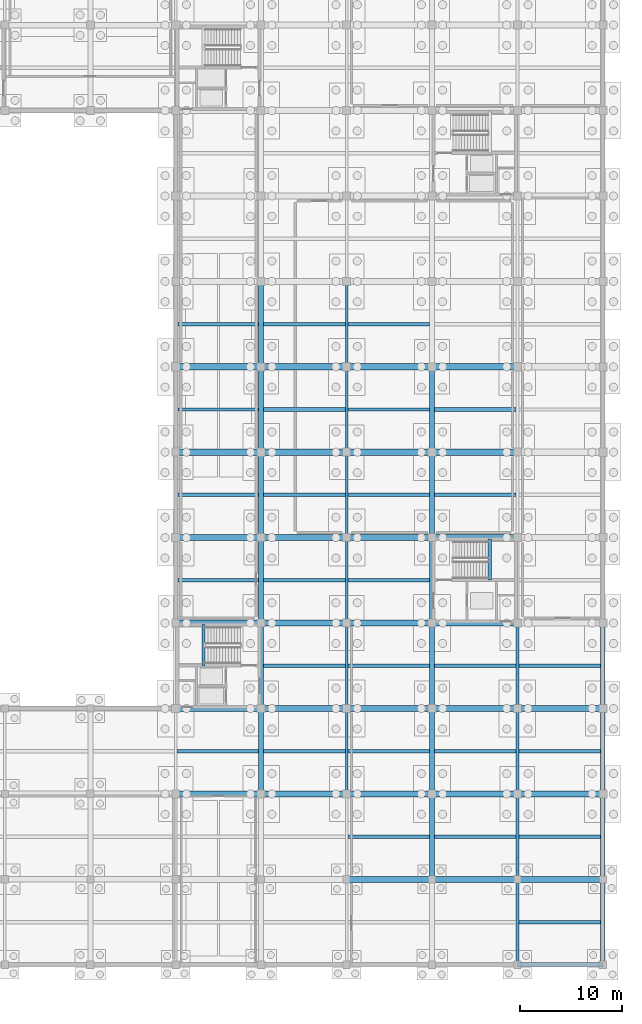
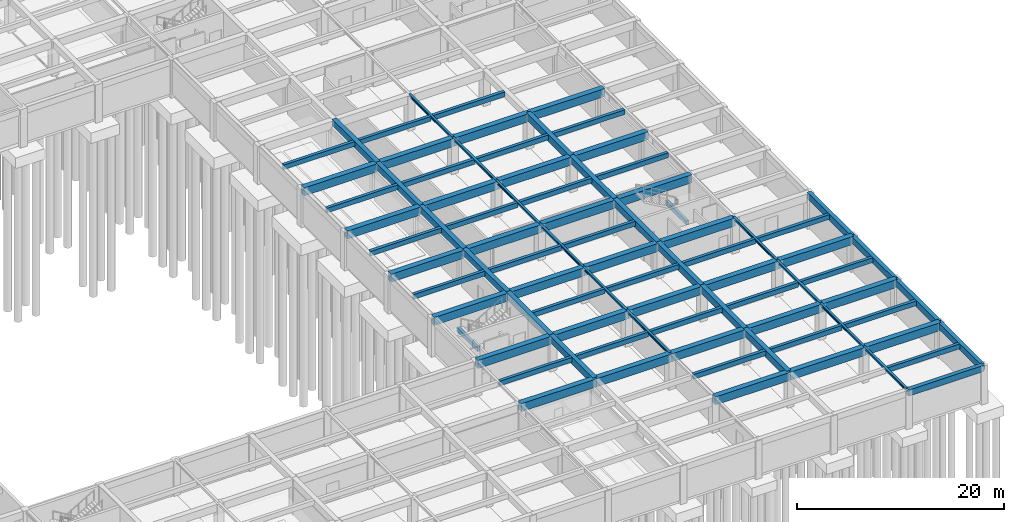
# One storey, part 12 of 33: 85 beams.
"""IFC4 building model written with IfcOpenShell, lengths in metres."""

from ifc_helpers import new_model, si_unit, direction, frame, origin, origin_2d, place, context, subcontext, project, spatial, rectangle, i_section, extrude, material, material_profile, profile_set, type_object, element, save


model = new_model("IFC4")

# Units and contexts
model_context = context("Model", 3, precision=1e-05, world=origin(), true_north=direction((0.0, 1.0)))
body_context = subcontext(model_context, "Body", "Model", "MODEL_VIEW")
ifc_project = project(units=[si_unit("LENGTHUNIT", "METRE"), si_unit("AREAUNIT", "SQUARE_METRE"), si_unit("VOLUMEUNIT", "CUBIC_METRE"), si_unit("PLANEANGLEUNIT", "RADIAN"), si_unit("MASSUNIT", "GRAM", prefix="KILO")], contexts=[model_context])

# Site, building, storey
site_placement = place(None, origin())
site = spatial("IfcSite", under=ifc_project, at=site_placement, CompositionType="ELEMENT")
building_placement = place(site_placement, origin())
building = spatial("IfcBuilding", under=site, at=building_placement, Name="Kveldsbrygga Polytechnic", CompositionType="ELEMENT")
storey_placement = place(building_placement, frame((0.0, 0.0, -4.419921875)))
storey = spatial("IfcBuildingStorey", under=building, at=storey_placement, Name="B1", CompositionType="ELEMENT", Elevation=-4.419921875)

# Beams
ifc_material_1 = material(Name="Concrete C35/45", Category="concrete")
ifc_material_profile_1 = material_profile(ifc_material_1, rectangle(XDim=0.449951171875, YDim=0.75, at=origin_2d()), Name="RC 450x750")
ifc_profile_set_1 = profile_set([ifc_material_profile_1], Name="Concrete C35/45")
beam_type_1 = type_object("IfcBeamType", Name="BM-RC-450x750", PredefinedType="BEAM", material=ifc_profile_set_1)
beam_1_placement = place(storey_placement, frame((168.0, 0.0, 3.744873046875), z_axis=(0.0, 1.0, 0.0), x_axis=(-1.0, 0.0, 0.0)))
element("IfcBeam", 1, at=beam_1_placement, inside=storey, type_object=beam_type_1, Name="Primary Beam BMY-B1-20-00to01", PredefinedType="BEAM", context=body_context, shape_type="SweptSolid", body=[
    extrude(rectangle(XDim=0.449951171875, YDim=0.75, at=origin_2d()), origin(), (0.0, 0.0, 1.0), 8.39990234375),
])
beam_2_placement = place(storey_placement, frame((168.0, 8.39990234375, 3.744873046875), z_axis=(0.0, 1.0, 0.0), x_axis=(-1.0, 0.0, 0.0)))
element("IfcBeam", 2, at=beam_2_placement, inside=storey, type_object=beam_type_1, Name="Primary Beam BMY-B1-20-01to02", PredefinedType="BEAM", context=body_context, shape_type="SweptSolid", body=[
    extrude(rectangle(XDim=0.449951171875, YDim=0.75, at=origin_2d()), origin(), (0.0, 0.0, 1.0), 8.400146484375),
])
beam_3_placement = place(storey_placement, frame((168.0, 16.800048828125, 3.744873046875), z_axis=(0.0, 1.0, 0.0), x_axis=(-1.0, 0.0, 0.0)))
element("IfcBeam", 3, at=beam_3_placement, inside=storey, type_object=beam_type_1, Name="Primary Beam BMY-B1-20-02to03", PredefinedType="BEAM", context=body_context, shape_type="SweptSolid", body=[
    extrude(rectangle(XDim=0.449951171875, YDim=0.75, at=origin_2d()), origin(), (0.0, 0.0, 1.0), 8.39990234375),
])
beam_4_placement = place(storey_placement, frame((168.0, 25.199951171875, 3.744873046875), z_axis=(0.0, 1.0, 0.0), x_axis=(-1.0, 0.0, 0.0)))
element("IfcBeam", 4, at=beam_4_placement, inside=storey, type_object=beam_type_1, Name="Primary Beam BMY-B1-20-03to04", PredefinedType="BEAM", context=body_context, shape_type="SweptSolid", body=[
    extrude(rectangle(XDim=0.449951171875, YDim=0.75, at=origin_2d()), origin(), (0.0, 0.0, 1.0), 8.400146484375),
])
ifc_material_profile_2 = material_profile(ifc_material_1, rectangle(XDim=0.4599609375, YDim=0.739990234375, at=origin_2d()), Name="RC 460x740")
ifc_profile_set_2 = profile_set([ifc_material_profile_2], Name="Concrete C35/45")
beam_type_2 = type_object("IfcBeamType", Name="BM-RC-460x740", PredefinedType="BEAM", material=ifc_profile_set_2)
beam_5_placement = place(storey_placement, frame((159.60009765625, 0.0, 3.75), z_axis=(1.0, 0.0, 0.0), x_axis=(0.0, 1.0, 0.0)))
element("IfcBeam", 5, at=beam_5_placement, inside=storey, type_object=beam_type_2, Name="Primary Beam BMX-B1-19to20-00", PredefinedType="BEAM", context=body_context, shape_type="SweptSolid", body=[
    extrude(rectangle(XDim=0.4599609375, YDim=0.739990234375, at=origin_2d()), origin(), (0.0, 0.0, 1.0), 8.39990234375),
])
ifc_material_profile_3 = material_profile(ifc_material_1, rectangle(XDim=0.5, YDim=0.800048828125, at=origin_2d()), Name="RC 500x800")
ifc_profile_set_3 = profile_set([ifc_material_profile_3], Name="Concrete C35/45")
beam_type_3 = type_object("IfcBeamType", Name="BM-RC-500x800", PredefinedType="BEAM", material=ifc_profile_set_3)
beam_6_placement = place(storey_placement, frame((134.39990234375, 16.800048828125, 3.719970703125), z_axis=(0.0, 1.0, 0.0), x_axis=(-1.0, 0.0, 0.0)))
element("IfcBeam", 6, at=beam_6_placement, inside=storey, type_object=beam_type_3, Name="Primary Beam BMY-B1-16-02to03", PredefinedType="BEAM", context=body_context, shape_type="SweptSolid", body=[
    extrude(rectangle(XDim=0.5, YDim=0.800048828125, at=origin_2d()), origin(), (0.0, 0.0, 1.0), 8.39990234375),
])
beam_7_placement = place(storey_placement, frame((134.39990234375, 25.199951171875, 3.719970703125), z_axis=(0.0, 1.0, 0.0), x_axis=(-1.0, 0.0, 0.0)))
element("IfcBeam", 7, at=beam_7_placement, inside=storey, type_object=beam_type_3, Name="Primary Beam BMY-B1-16-03to04", PredefinedType="BEAM", context=body_context, shape_type="SweptSolid", body=[
    extrude(rectangle(XDim=0.5, YDim=0.800048828125, at=origin_2d()), origin(), (0.0, 0.0, 1.0), 8.400146484375),
])
for number, where, z_axis, x_axis, name in (
    (8, (134.39990234375, 33.60009765625, 3.719970703125), (0.0, 1.0, 0.0), (-1.0, 0.0, 0.0), "Primary Beam BMY-B1-16-04to05"),
    (9, (134.39990234375, 42.0, 3.719970703125), (0.0, 1.0, 0.0), (-1.0, 0.0, 0.0), "Primary Beam BMY-B1-16-05to06"),
):
    element("IfcBeam", number, at=place(storey_placement, frame(where, z_axis=z_axis, x_axis=x_axis)), inside=storey, type_object=beam_type_3, Name=name, PredefinedType="BEAM", context=body_context, shape_type="SweptSolid", body=[
        extrude(rectangle(XDim=0.5, YDim=0.800048828125, at=origin_2d()), origin(), (0.0, 0.0, 1.0), 8.39990234375),
    ])
beam_8_placement = place(storey_placement, frame((134.39990234375, 50.39990234375, 3.719970703125), z_axis=(0.0, 1.0, 0.0), x_axis=(-1.0, 0.0, 0.0)))
element("IfcBeam", 10, at=beam_8_placement, inside=storey, type_object=beam_type_3, Name="Primary Beam BMY-B1-16-06to07", PredefinedType="BEAM", context=body_context, shape_type="SweptSolid", body=[
    extrude(rectangle(XDim=0.5, YDim=0.800048828125, at=origin_2d()), origin(), (0.0, 0.0, 1.0), 8.400146484375),
])
beam_9_placement = place(storey_placement, frame((134.39990234375, 58.800048828125, 3.719970703125), z_axis=(0.0, 1.0, 0.0), x_axis=(-1.0, 0.0, 0.0)))
element("IfcBeam", 11, at=beam_9_placement, inside=storey, type_object=beam_type_3, Name="Primary Beam BMY-B1-16-07to08", PredefinedType="BEAM", context=body_context, shape_type="SweptSolid", body=[
    extrude(rectangle(XDim=0.5, YDim=0.800048828125, at=origin_2d()), origin(), (0.0, 0.0, 1.0), 8.39990234375),
])
beam_10_placement = place(storey_placement, frame((151.199951171875, 8.39990234375, 3.719970703125), z_axis=(0.0, 1.0, 0.0), x_axis=(-1.0, 0.0, 0.0)))
element("IfcBeam", 12, at=beam_10_placement, inside=storey, type_object=beam_type_3, Name="Primary Beam BMY-B1-18-01to02", PredefinedType="BEAM", context=body_context, shape_type="SweptSolid", body=[
    extrude(rectangle(XDim=0.5, YDim=0.800048828125, at=origin_2d()), origin(), (0.0, 0.0, 1.0), 8.400146484375),
])
beam_11_placement = place(storey_placement, frame((151.199951171875, 16.800048828125, 3.719970703125), z_axis=(0.0, 1.0, 0.0), x_axis=(-1.0, 0.0, 0.0)))
element("IfcBeam", 13, at=beam_11_placement, inside=storey, type_object=beam_type_3, Name="Primary Beam BMY-B1-18-02to03", PredefinedType="BEAM", context=body_context, shape_type="SweptSolid", body=[
    extrude(rectangle(XDim=0.5, YDim=0.800048828125, at=origin_2d()), origin(), (0.0, 0.0, 1.0), 8.39990234375),
])
beam_12_placement = place(storey_placement, frame((151.199951171875, 25.199951171875, 3.719970703125), z_axis=(0.0, 1.0, 0.0), x_axis=(-1.0, 0.0, 0.0)))
element("IfcBeam", 14, at=beam_12_placement, inside=storey, type_object=beam_type_3, Name="Primary Beam BMY-B1-18-03to04", PredefinedType="BEAM", context=body_context, shape_type="SweptSolid", body=[
    extrude(rectangle(XDim=0.5, YDim=0.800048828125, at=origin_2d()), origin(), (0.0, 0.0, 1.0), 8.400146484375),
])
for number, where, z_axis, x_axis, name in (
    (15, (151.199951171875, 33.60009765625, 3.719970703125), (0.0, 1.0, 0.0), (-1.0, 0.0, 0.0), "Primary Beam BMY-B1-18-04to05"),
    (16, (151.199951171875, 42.0, 3.719970703125), (0.0, 1.0, 0.0), (-1.0, 0.0, 0.0), "Primary Beam BMY-B1-18-05to06"),
):
    element("IfcBeam", number, at=place(storey_placement, frame(where, z_axis=z_axis, x_axis=x_axis)), inside=storey, type_object=beam_type_3, Name=name, PredefinedType="BEAM", context=body_context, shape_type="SweptSolid", body=[
        extrude(rectangle(XDim=0.5, YDim=0.800048828125, at=origin_2d()), origin(), (0.0, 0.0, 1.0), 8.39990234375),
    ])
beam_13_placement = place(storey_placement, frame((151.199951171875, 50.39990234375, 3.719970703125), z_axis=(0.0, 1.0, 0.0), x_axis=(-1.0, 0.0, 0.0)))
element("IfcBeam", 17, at=beam_13_placement, inside=storey, type_object=beam_type_3, Name="Primary Beam BMY-B1-18-06to07", PredefinedType="BEAM", context=body_context, shape_type="SweptSolid", body=[
    extrude(rectangle(XDim=0.5, YDim=0.800048828125, at=origin_2d()), origin(), (0.0, 0.0, 1.0), 8.400146484375),
])
ifc_material_2 = material(Name="Concrete C45/55", Category="concrete")
ifc_material_profile_4 = material_profile(ifc_material_2, rectangle(XDim=0.60009765625, YDim=0.949951171875, at=origin_2d()), Name="RC 600x950")
ifc_profile_set_4 = profile_set([ifc_material_profile_4], Name="Concrete C45/55")
beam_type_4 = type_object("IfcBeamType", Name="BM-RC-600x950", PredefinedType="BEAM", material=ifc_profile_set_4)
beam_14_placement = place(storey_placement, frame((142.800048828125, 8.39990234375, 3.64501953125), z_axis=(1.0, 0.0, 0.0), x_axis=(0.0, 1.0, 0.0)))
element("IfcBeam", 18, at=beam_14_placement, inside=storey, type_object=beam_type_4, Name="Primary Beam BMX-B1-17to18-01", PredefinedType="BEAM", context=body_context, shape_type="SweptSolid", body=[
    extrude(rectangle(XDim=0.60009765625, YDim=0.949951171875, at=origin_2d()), origin(), (0.0, 0.0, 1.0), 8.39990234375),
])
beam_15_placement = place(storey_placement, frame((151.199951171875, 8.39990234375, 3.64501953125), z_axis=(1.0, 0.0, 0.0), x_axis=(0.0, 1.0, 0.0)))
element("IfcBeam", 19, at=beam_15_placement, inside=storey, type_object=beam_type_4, Name="Primary Beam BMX-B1-18to19-01", PredefinedType="BEAM", context=body_context, shape_type="SweptSolid", body=[
    extrude(rectangle(XDim=0.60009765625, YDim=0.949951171875, at=origin_2d()), origin(), (0.0, 0.0, 1.0), 8.400146484375),
])
for number, where, z_axis, x_axis, name in (
    (20, (159.60009765625, 8.39990234375, 3.64501953125), (1.0, 0.0, 0.0), (0.0, 1.0, 0.0), "Primary Beam BMX-B1-19to20-01"),
    (21, (126.0, 16.800048828125, 3.64501953125), (1.0, 0.0, 0.0), (0.0, 1.0, 0.0), "Primary Beam BMX-B1-15to16-02"),
):
    element("IfcBeam", number, at=place(storey_placement, frame(where, z_axis=z_axis, x_axis=x_axis)), inside=storey, type_object=beam_type_4, Name=name, PredefinedType="BEAM", context=body_context, shape_type="SweptSolid", body=[
        extrude(rectangle(XDim=0.60009765625, YDim=0.949951171875, at=origin_2d()), origin(), (0.0, 0.0, 1.0), 8.39990234375),
    ])
beam_16_placement = place(storey_placement, frame((134.39990234375, 16.800048828125, 3.64501953125), z_axis=(1.0, 0.0, 0.0), x_axis=(0.0, 1.0, 0.0)))
element("IfcBeam", 22, at=beam_16_placement, inside=storey, type_object=beam_type_4, Name="Primary Beam BMX-B1-16to17-02", PredefinedType="BEAM", context=body_context, shape_type="SweptSolid", body=[
    extrude(rectangle(XDim=0.60009765625, YDim=0.949951171875, at=origin_2d()), origin(), (0.0, 0.0, 1.0), 8.400146484375),
])
beam_17_placement = place(storey_placement, frame((142.800048828125, 16.800048828125, 3.64501953125), z_axis=(1.0, 0.0, 0.0), x_axis=(0.0, 1.0, 0.0)))
element("IfcBeam", 23, at=beam_17_placement, inside=storey, type_object=beam_type_4, Name="Primary Beam BMX-B1-17to18-02", PredefinedType="BEAM", context=body_context, shape_type="SweptSolid", body=[
    extrude(rectangle(XDim=0.60009765625, YDim=0.949951171875, at=origin_2d()), origin(), (0.0, 0.0, 1.0), 8.39990234375),
])
beam_18_placement = place(storey_placement, frame((151.199951171875, 16.800048828125, 3.64501953125), z_axis=(1.0, 0.0, 0.0), x_axis=(0.0, 1.0, 0.0)))
element("IfcBeam", 24, at=beam_18_placement, inside=storey, type_object=beam_type_4, Name="Primary Beam BMX-B1-18to19-02", PredefinedType="BEAM", context=body_context, shape_type="SweptSolid", body=[
    extrude(rectangle(XDim=0.60009765625, YDim=0.949951171875, at=origin_2d()), origin(), (0.0, 0.0, 1.0), 8.400146484375),
])
for number, where, z_axis, x_axis, name in (
    (25, (159.60009765625, 16.800048828125, 3.64501953125), (1.0, 0.0, 0.0), (0.0, 1.0, 0.0), "Primary Beam BMX-B1-19to20-02"),
    (26, (126.0, 25.199951171875, 3.64501953125), (1.0, 0.0, 0.0), (0.0, 1.0, 0.0), "Primary Beam BMX-B1-15to16-03"),
):
    element("IfcBeam", number, at=place(storey_placement, frame(where, z_axis=z_axis, x_axis=x_axis)), inside=storey, type_object=beam_type_4, Name=name, PredefinedType="BEAM", context=body_context, shape_type="SweptSolid", body=[
        extrude(rectangle(XDim=0.60009765625, YDim=0.949951171875, at=origin_2d()), origin(), (0.0, 0.0, 1.0), 8.39990234375),
    ])
beam_19_placement = place(storey_placement, frame((134.39990234375, 25.199951171875, 3.64501953125), z_axis=(1.0, 0.0, 0.0), x_axis=(0.0, 1.0, 0.0)))
element("IfcBeam", 27, at=beam_19_placement, inside=storey, type_object=beam_type_4, Name="Primary Beam BMX-B1-16to17-03", PredefinedType="BEAM", context=body_context, shape_type="SweptSolid", body=[
    extrude(rectangle(XDim=0.60009765625, YDim=0.949951171875, at=origin_2d()), origin(), (0.0, 0.0, 1.0), 8.400146484375),
])
beam_20_placement = place(storey_placement, frame((142.800048828125, 25.199951171875, 3.64501953125), z_axis=(1.0, 0.0, 0.0), x_axis=(0.0, 1.0, 0.0)))
element("IfcBeam", 28, at=beam_20_placement, inside=storey, type_object=beam_type_4, Name="Primary Beam BMX-B1-17to18-03", PredefinedType="BEAM", context=body_context, shape_type="SweptSolid", body=[
    extrude(rectangle(XDim=0.60009765625, YDim=0.949951171875, at=origin_2d()), origin(), (0.0, 0.0, 1.0), 8.39990234375),
])
beam_21_placement = place(storey_placement, frame((151.199951171875, 25.199951171875, 3.64501953125), z_axis=(1.0, 0.0, 0.0), x_axis=(0.0, 1.0, 0.0)))
element("IfcBeam", 29, at=beam_21_placement, inside=storey, type_object=beam_type_4, Name="Primary Beam BMX-B1-18to19-03", PredefinedType="BEAM", context=body_context, shape_type="SweptSolid", body=[
    extrude(rectangle(XDim=0.60009765625, YDim=0.949951171875, at=origin_2d()), origin(), (0.0, 0.0, 1.0), 8.400146484375),
])
for number, where, z_axis, x_axis, name in (
    (30, (159.60009765625, 25.199951171875, 3.64501953125), (1.0, 0.0, 0.0), (0.0, 1.0, 0.0), "Primary Beam BMX-B1-19to20-03"),
    (31, (126.0, 33.60009765625, 3.64501953125), (1.0, 0.0, 0.0), (0.0, 1.0, 0.0), "Primary Beam BMX-B1-15to16-04"),
):
    element("IfcBeam", number, at=place(storey_placement, frame(where, z_axis=z_axis, x_axis=x_axis)), inside=storey, type_object=beam_type_4, Name=name, PredefinedType="BEAM", context=body_context, shape_type="SweptSolid", body=[
        extrude(rectangle(XDim=0.60009765625, YDim=0.949951171875, at=origin_2d()), origin(), (0.0, 0.0, 1.0), 8.39990234375),
    ])
beam_22_placement = place(storey_placement, frame((134.39990234375, 33.60009765625, 3.64501953125), z_axis=(1.0, 0.0, 0.0), x_axis=(0.0, 1.0, 0.0)))
element("IfcBeam", 32, at=beam_22_placement, inside=storey, type_object=beam_type_4, Name="Primary Beam BMX-B1-16to17-04", PredefinedType="BEAM", context=body_context, shape_type="SweptSolid", body=[
    extrude(rectangle(XDim=0.60009765625, YDim=0.949951171875, at=origin_2d()), origin(), (0.0, 0.0, 1.0), 8.400146484375),
])
beam_23_placement = place(storey_placement, frame((142.800048828125, 33.60009765625, 3.64501953125), z_axis=(1.0, 0.0, 0.0), x_axis=(0.0, 1.0, 0.0)))
element("IfcBeam", 33, at=beam_23_placement, inside=storey, type_object=beam_type_4, Name="Primary Beam BMX-B1-17to18-04", PredefinedType="BEAM", context=body_context, shape_type="SweptSolid", body=[
    extrude(rectangle(XDim=0.60009765625, YDim=0.949951171875, at=origin_2d()), origin(), (0.0, 0.0, 1.0), 8.39990234375),
])
beam_24_placement = place(storey_placement, frame((151.199951171875, 33.60009765625, 3.64501953125), z_axis=(1.0, 0.0, 0.0), x_axis=(0.0, 1.0, 0.0)))
element("IfcBeam", 34, at=beam_24_placement, inside=storey, type_object=beam_type_4, Name="Primary Beam BMX-B1-18to19-04", PredefinedType="BEAM", context=body_context, shape_type="SweptSolid", body=[
    extrude(rectangle(XDim=0.60009765625, YDim=0.949951171875, at=origin_2d()), origin(), (0.0, 0.0, 1.0), 8.400146484375),
])
beam_25_placement = place(storey_placement, frame((126.0, 42.0, 3.64501953125), z_axis=(1.0, 0.0, 0.0), x_axis=(0.0, 1.0, 0.0)))
element("IfcBeam", 35, at=beam_25_placement, inside=storey, type_object=beam_type_4, Name="Primary Beam BMX-B1-15to16-05", PredefinedType="BEAM", context=body_context, shape_type="SweptSolid", body=[
    extrude(rectangle(XDim=0.60009765625, YDim=0.949951171875, at=origin_2d()), origin(), (0.0, 0.0, 1.0), 8.39990234375),
])
beam_26_placement = place(storey_placement, frame((134.39990234375, 42.0, 3.64501953125), z_axis=(1.0, 0.0, 0.0), x_axis=(0.0, 1.0, 0.0)))
element("IfcBeam", 36, at=beam_26_placement, inside=storey, type_object=beam_type_4, Name="Primary Beam BMX-B1-16to17-05", PredefinedType="BEAM", context=body_context, shape_type="SweptSolid", body=[
    extrude(rectangle(XDim=0.60009765625, YDim=0.949951171875, at=origin_2d()), origin(), (0.0, 0.0, 1.0), 8.400146484375),
])
beam_27_placement = place(storey_placement, frame((142.800048828125, 42.0, 3.64501953125), z_axis=(1.0, 0.0, 0.0), x_axis=(0.0, 1.0, 0.0)))
element("IfcBeam", 37, at=beam_27_placement, inside=storey, type_object=beam_type_4, Name="Primary Beam BMX-B1-17to18-05", PredefinedType="BEAM", context=body_context, shape_type="SweptSolid", body=[
    extrude(rectangle(XDim=0.60009765625, YDim=0.949951171875, at=origin_2d()), origin(), (0.0, 0.0, 1.0), 8.39990234375),
])
beam_28_placement = place(storey_placement, frame((151.199951171875, 42.0, 3.64501953125), z_axis=(1.0, 0.0, 0.0), x_axis=(0.0, 1.0, 0.0)))
element("IfcBeam", 38, at=beam_28_placement, inside=storey, type_object=beam_type_4, Name="Primary Beam BMX-B1-18to19-05", PredefinedType="BEAM", context=body_context, shape_type="SweptSolid", body=[
    extrude(rectangle(XDim=0.60009765625, YDim=0.949951171875, at=origin_2d()), origin(), (0.0, 0.0, 1.0), 8.400146484375),
])
beam_29_placement = place(storey_placement, frame((126.0, 50.39990234375, 3.64501953125), z_axis=(1.0, 0.0, 0.0), x_axis=(0.0, 1.0, 0.0)))
element("IfcBeam", 39, at=beam_29_placement, inside=storey, type_object=beam_type_4, Name="Primary Beam BMX-B1-15to16-06", PredefinedType="BEAM", context=body_context, shape_type="SweptSolid", body=[
    extrude(rectangle(XDim=0.60009765625, YDim=0.949951171875, at=origin_2d()), origin(), (0.0, 0.0, 1.0), 8.39990234375),
])
beam_30_placement = place(storey_placement, frame((134.39990234375, 50.39990234375, 3.64501953125), z_axis=(1.0, 0.0, 0.0), x_axis=(0.0, 1.0, 0.0)))
element("IfcBeam", 40, at=beam_30_placement, inside=storey, type_object=beam_type_4, Name="Primary Beam BMX-B1-16to17-06", PredefinedType="BEAM", context=body_context, shape_type="SweptSolid", body=[
    extrude(rectangle(XDim=0.60009765625, YDim=0.949951171875, at=origin_2d()), origin(), (0.0, 0.0, 1.0), 8.400146484375),
])
beam_31_placement = place(storey_placement, frame((142.800048828125, 50.39990234375, 3.64501953125), z_axis=(1.0, 0.0, 0.0), x_axis=(0.0, 1.0, 0.0)))
element("IfcBeam", 41, at=beam_31_placement, inside=storey, type_object=beam_type_4, Name="Primary Beam BMX-B1-17to18-06", PredefinedType="BEAM", context=body_context, shape_type="SweptSolid", body=[
    extrude(rectangle(XDim=0.60009765625, YDim=0.949951171875, at=origin_2d()), origin(), (0.0, 0.0, 1.0), 8.39990234375),
])
beam_32_placement = place(storey_placement, frame((151.199951171875, 50.39990234375, 3.64501953125), z_axis=(1.0, 0.0, 0.0), x_axis=(0.0, 1.0, 0.0)))
element("IfcBeam", 42, at=beam_32_placement, inside=storey, type_object=beam_type_4, Name="Primary Beam BMX-B1-18to19-06", PredefinedType="BEAM", context=body_context, shape_type="SweptSolid", body=[
    extrude(rectangle(XDim=0.60009765625, YDim=0.949951171875, at=origin_2d()), origin(), (0.0, 0.0, 1.0), 8.400146484375),
])
beam_33_placement = place(storey_placement, frame((126.0, 58.800048828125, 3.64501953125), z_axis=(1.0, 0.0, 0.0), x_axis=(0.0, 1.0, 0.0)))
element("IfcBeam", 43, at=beam_33_placement, inside=storey, type_object=beam_type_4, Name="Primary Beam BMX-B1-15to16-07", PredefinedType="BEAM", context=body_context, shape_type="SweptSolid", body=[
    extrude(rectangle(XDim=0.60009765625, YDim=0.949951171875, at=origin_2d()), origin(), (0.0, 0.0, 1.0), 8.39990234375),
])
beam_34_placement = place(storey_placement, frame((134.39990234375, 58.800048828125, 3.64501953125), z_axis=(1.0, 0.0, 0.0), x_axis=(0.0, 1.0, 0.0)))
element("IfcBeam", 44, at=beam_34_placement, inside=storey, type_object=beam_type_4, Name="Primary Beam BMX-B1-16to17-07", PredefinedType="BEAM", context=body_context, shape_type="SweptSolid", body=[
    extrude(rectangle(XDim=0.60009765625, YDim=0.949951171875, at=origin_2d()), origin(), (0.0, 0.0, 1.0), 8.400146484375),
])
beam_35_placement = place(storey_placement, frame((142.800048828125, 58.800048828125, 3.64501953125), z_axis=(1.0, 0.0, 0.0), x_axis=(0.0, 1.0, 0.0)))
element("IfcBeam", 45, at=beam_35_placement, inside=storey, type_object=beam_type_4, Name="Primary Beam BMX-B1-17to18-07", PredefinedType="BEAM", context=body_context, shape_type="SweptSolid", body=[
    extrude(rectangle(XDim=0.60009765625, YDim=0.949951171875, at=origin_2d()), origin(), (0.0, 0.0, 1.0), 8.39990234375),
])
beam_36_placement = place(storey_placement, frame((151.199951171875, 58.800048828125, 3.64501953125), z_axis=(1.0, 0.0, 0.0), x_axis=(0.0, 1.0, 0.0)))
element("IfcBeam", 46, at=beam_36_placement, inside=storey, type_object=beam_type_4, Name="Primary Beam BMX-B1-18to19-07", PredefinedType="BEAM", context=body_context, shape_type="SweptSolid", body=[
    extrude(rectangle(XDim=0.60009765625, YDim=0.949951171875, at=origin_2d()), origin(), (0.0, 0.0, 1.0), 8.400146484375),
])
ifc_material_3 = material(Name="Steel S355", Category="steel")
ifc_material_profile_5 = material_profile(ifc_material_3, i_section(OverallWidth=0.260009765625, OverallDepth=0.260009765625, WebThickness=0.010009765625, FlangeThickness=0.017578125, FilletRadius=0.02392578125, at=origin_2d()), Name="HEB 260")
ifc_profile_set_5 = profile_set([ifc_material_profile_5], Name="Steel S355")
beam_type_5 = type_object("IfcBeamType", Name="BM-STL-HEB260", PredefinedType="BEAM", material=ifc_profile_set_5)
beam_37_placement = place(storey_placement, frame((142.800048828125, 16.800048828125, 3.989990234375), z_axis=(0.0, 1.0, 0.0), x_axis=(-1.0, 0.0, 0.0)))
element("IfcBeam", 47, at=beam_37_placement, inside=storey, type_object=beam_type_5, Name="Primary Beam BMY-B1-17-02to03", PredefinedType="BEAM", context=body_context, shape_type="SweptSolid", body=[
    extrude(i_section(OverallWidth=0.260009765625, OverallDepth=0.260009765625, WebThickness=0.010009765625, FlangeThickness=0.017578125, FilletRadius=0.02392578125, at=origin_2d()), origin(), (0.0, 0.0, 1.0), 8.39990234375),
])
beam_38_placement = place(storey_placement, frame((142.800048828125, 25.199951171875, 3.989990234375), z_axis=(0.0, 1.0, 0.0), x_axis=(-1.0, 0.0, 0.0)))
element("IfcBeam", 48, at=beam_38_placement, inside=storey, type_object=beam_type_5, Name="Primary Beam BMY-B1-17-03to04", PredefinedType="BEAM", context=body_context, shape_type="SweptSolid", body=[
    extrude(i_section(OverallWidth=0.260009765625, OverallDepth=0.260009765625, WebThickness=0.010009765625, FlangeThickness=0.017578125, FilletRadius=0.02392578125, at=origin_2d()), origin(), (0.0, 0.0, 1.0), 8.400146484375),
])
for number, where, z_axis, x_axis, name in (
    (49, (142.800048828125, 33.60009765625, 3.989990234375), (0.0, 1.0, 0.0), (-1.0, 0.0, 0.0), "Primary Beam BMY-B1-17-04to05"),
    (50, (142.800048828125, 42.0, 3.989990234375), (0.0, 1.0, 0.0), (-1.0, 0.0, 0.0), "Primary Beam BMY-B1-17-05to06"),
):
    element("IfcBeam", number, at=place(storey_placement, frame(where, z_axis=z_axis, x_axis=x_axis)), inside=storey, type_object=beam_type_5, Name=name, PredefinedType="BEAM", context=body_context, shape_type="SweptSolid", body=[
        extrude(i_section(OverallWidth=0.260009765625, OverallDepth=0.260009765625, WebThickness=0.010009765625, FlangeThickness=0.017578125, FilletRadius=0.02392578125, at=origin_2d()), origin(), (0.0, 0.0, 1.0), 8.39990234375),
    ])
beam_39_placement = place(storey_placement, frame((142.800048828125, 50.39990234375, 3.989990234375), z_axis=(0.0, 1.0, 0.0), x_axis=(-1.0, 0.0, 0.0)))
element("IfcBeam", 51, at=beam_39_placement, inside=storey, type_object=beam_type_5, Name="Primary Beam BMY-B1-17-06to07", PredefinedType="BEAM", context=body_context, shape_type="SweptSolid", body=[
    extrude(i_section(OverallWidth=0.260009765625, OverallDepth=0.260009765625, WebThickness=0.010009765625, FlangeThickness=0.017578125, FilletRadius=0.02392578125, at=origin_2d()), origin(), (0.0, 0.0, 1.0), 8.400146484375),
])
for number, where, z_axis, x_axis, name in (
    (52, (142.800048828125, 58.800048828125, 3.989990234375), (0.0, 1.0, 0.0), (-1.0, 0.0, 0.0), "Primary Beam BMY-B1-17-07to08"),
    (53, (159.60009765625, 0.0, 3.989990234375), (0.0, 1.0, 0.0), (-1.0, 0.0, 0.0), "Primary Beam BMY-B1-19-00to01"),
):
    element("IfcBeam", number, at=place(storey_placement, frame(where, z_axis=z_axis, x_axis=x_axis)), inside=storey, type_object=beam_type_5, Name=name, PredefinedType="BEAM", context=body_context, shape_type="SweptSolid", body=[
        extrude(i_section(OverallWidth=0.260009765625, OverallDepth=0.260009765625, WebThickness=0.010009765625, FlangeThickness=0.017578125, FilletRadius=0.02392578125, at=origin_2d()), origin(), (0.0, 0.0, 1.0), 8.39990234375),
    ])
beam_40_placement = place(storey_placement, frame((159.60009765625, 8.39990234375, 3.989990234375), z_axis=(0.0, 1.0, 0.0), x_axis=(-1.0, 0.0, 0.0)))
element("IfcBeam", 54, at=beam_40_placement, inside=storey, type_object=beam_type_5, Name="Primary Beam BMY-B1-19-01to02", PredefinedType="BEAM", context=body_context, shape_type="SweptSolid", body=[
    extrude(i_section(OverallWidth=0.260009765625, OverallDepth=0.260009765625, WebThickness=0.010009765625, FlangeThickness=0.017578125, FilletRadius=0.02392578125, at=origin_2d()), origin(), (0.0, 0.0, 1.0), 8.400146484375),
])
beam_41_placement = place(storey_placement, frame((159.60009765625, 16.800048828125, 3.989990234375), z_axis=(0.0, 1.0, 0.0), x_axis=(-1.0, 0.0, 0.0)))
element("IfcBeam", 55, at=beam_41_placement, inside=storey, type_object=beam_type_5, Name="Primary Beam BMY-B1-19-02to03", PredefinedType="BEAM", context=body_context, shape_type="SweptSolid", body=[
    extrude(i_section(OverallWidth=0.260009765625, OverallDepth=0.260009765625, WebThickness=0.010009765625, FlangeThickness=0.017578125, FilletRadius=0.02392578125, at=origin_2d()), origin(), (0.0, 0.0, 1.0), 8.39990234375),
])
beam_42_placement = place(storey_placement, frame((159.60009765625, 25.199951171875, 3.989990234375), z_axis=(0.0, 1.0, 0.0), x_axis=(-1.0, 0.0, 0.0)))
element("IfcBeam", 56, at=beam_42_placement, inside=storey, type_object=beam_type_5, Name="Primary Beam BMY-B1-19-03to04", PredefinedType="BEAM", context=body_context, shape_type="SweptSolid", body=[
    extrude(i_section(OverallWidth=0.260009765625, OverallDepth=0.260009765625, WebThickness=0.010009765625, FlangeThickness=0.017578125, FilletRadius=0.02392578125, at=origin_2d()), origin(), (0.0, 0.0, 1.0), 8.400146484375),
])
ifc_material_profile_6 = material_profile(ifc_material_1, rectangle(XDim=0.340087890625, YDim=0.56005859375, at=origin_2d()), Name="RC 340x560")
ifc_profile_set_6 = profile_set([ifc_material_profile_6], Name="Concrete C35/45")
beam_type_6 = type_object("IfcBeamType", Name="JST-RC-340x560", PredefinedType="JOIST", material=ifc_profile_set_6)
beam_43_placement = place(storey_placement, frame((126.1298828125, 21.0, 3.83984375), z_axis=(1.0, 0.0, 0.0), x_axis=(0.0, 1.0, 0.0)))
element("IfcBeam", 57, at=beam_43_placement, inside=storey, type_object=beam_type_6, Name="Secondary Joist JST-B1-15-02", PredefinedType="JOIST", context=body_context, shape_type="SweptSolid", body=[
    extrude(rectangle(XDim=0.340087890625, YDim=0.56005859375, at=origin_2d()), origin(), (0.0, 0.0, 1.0), 8.02001953125),
])
for number, where, z_axis, x_axis, name in (
    (58, (126.22509765625, 37.800048828125, 3.83984375), (1.0, 0.0, 0.0), (0.0, 1.0, 0.0), "Secondary Joist JST-B1-15-04"),
    (59, (126.22509765625, 54.60009765625, 3.83984375), (1.0, 0.0, 0.0), (0.0, 1.0, 0.0), "Secondary Joist JST-B1-15-06"),
):
    element("IfcBeam", number, at=place(storey_placement, frame(where, z_axis=z_axis, x_axis=x_axis)), inside=storey, type_object=beam_type_6, Name=name, PredefinedType="JOIST", context=body_context, shape_type="SweptSolid", body=[
        extrude(rectangle(XDim=0.340087890625, YDim=0.56005859375, at=origin_2d()), origin(), (0.0, 0.0, 1.0), 7.9248046875),
    ])
for number, where, z_axis, x_axis, name in (
    (60, (134.64990234375, 29.39990234375, 3.83984375), (1.0, 0.0, 0.0), (0.0, 1.0, 0.0), "Secondary Joist JST-B1-16-03"),
    (61, (134.64990234375, 46.199951171875, 3.83984375), (1.0, 0.0, 0.0), (0.0, 1.0, 0.0), "Secondary Joist JST-B1-16-05"),
    (62, (134.64990234375, 63.0, 3.83984375), (1.0, 0.0, 0.0), (0.0, 1.0, 0.0), "Secondary Joist JST-B1-16-07"),
    (63, (142.929931640625, 21.0, 3.83984375), (1.0, 0.0, 0.0), (0.0, 1.0, 0.0), "Secondary Joist JST-B1-17-02"),
    (64, (142.929931640625, 37.800048828125, 3.83984375), (1.0, 0.0, 0.0), (0.0, 1.0, 0.0), "Secondary Joist JST-B1-17-04"),
    (65, (142.929931640625, 54.60009765625, 3.83984375), (1.0, 0.0, 0.0), (0.0, 1.0, 0.0), "Secondary Joist JST-B1-17-06"),
    (66, (151.449951171875, 12.60009765625, 3.83984375), (1.0, 0.0, 0.0), (0.0, 1.0, 0.0), "Secondary Joist JST-B1-18-01"),
    (67, (151.449951171875, 29.39990234375, 3.83984375), (1.0, 0.0, 0.0), (0.0, 1.0, 0.0), "Secondary Joist JST-B1-18-03"),
    (68, (151.449951171875, 46.199951171875, 3.83984375), (1.0, 0.0, 0.0), (0.0, 1.0, 0.0), "Secondary Joist JST-B1-18-05"),
):
    element("IfcBeam", number, at=place(storey_placement, frame(where, z_axis=z_axis, x_axis=x_axis)), inside=storey, type_object=beam_type_6, Name=name, PredefinedType="JOIST", context=body_context, shape_type="SweptSolid", body=[
        extrude(rectangle(XDim=0.340087890625, YDim=0.56005859375, at=origin_2d()), origin(), (0.0, 0.0, 1.0), 8.02001953125),
    ])
for number, where, z_axis, x_axis, name in (
    (69, (159.72998046875, 4.199951171875, 3.83984375), (1.0, 0.0, 0.0), (0.0, 1.0, 0.0), "Secondary Joist JST-B1-19-00"),
    (70, (159.72998046875, 21.0, 3.83984375), (1.0, 0.0, 0.0), (0.0, 1.0, 0.0), "Secondary Joist JST-B1-19-02"),
):
    element("IfcBeam", number, at=place(storey_placement, frame(where, z_axis=z_axis, x_axis=x_axis)), inside=storey, type_object=beam_type_6, Name=name, PredefinedType="JOIST", context=body_context, shape_type="SweptSolid", body=[
        extrude(rectangle(XDim=0.340087890625, YDim=0.56005859375, at=origin_2d()), origin(), (0.0, 0.0, 1.0), 8.044921875),
    ])
ifc_material_profile_7 = material_profile(ifc_material_1, rectangle(XDim=0.35009765625, YDim=0.550048828125, at=origin_2d()), Name="RC 350x550")
ifc_profile_set_7 = profile_set([ifc_material_profile_7], Name="Concrete C35/45")
beam_type_7 = type_object("IfcBeamType", Name="JST-RC-350x550", PredefinedType="JOIST", material=ifc_profile_set_7)
for number, where, z_axis, x_axis, name in (
    (71, (126.22509765625, 46.199951171875, 3.844970703125), (1.0, 0.0, 0.0), (0.0, 1.0, 0.0), "Secondary Joist JST-B1-15-05"),
    (72, (126.22509765625, 63.0, 3.844970703125), (1.0, 0.0, 0.0), (0.0, 1.0, 0.0), "Secondary Joist JST-B1-15-07"),
):
    element("IfcBeam", number, at=place(storey_placement, frame(where, z_axis=z_axis, x_axis=x_axis)), inside=storey, type_object=beam_type_7, Name=name, PredefinedType="JOIST", context=body_context, shape_type="SweptSolid", body=[
        extrude(rectangle(XDim=0.35009765625, YDim=0.550048828125, at=origin_2d()), origin(), (0.0, 0.0, 1.0), 7.9248046875),
    ])
for number, where, z_axis, x_axis, name in (
    (73, (134.64990234375, 21.0, 3.844970703125), (1.0, 0.0, 0.0), (0.0, 1.0, 0.0), "Secondary Joist JST-B1-16-02"),
    (74, (134.64990234375, 37.800048828125, 3.844970703125), (1.0, 0.0, 0.0), (0.0, 1.0, 0.0), "Secondary Joist JST-B1-16-04"),
    (75, (134.64990234375, 54.60009765625, 3.844970703125), (1.0, 0.0, 0.0), (0.0, 1.0, 0.0), "Secondary Joist JST-B1-16-06"),
    (76, (142.929931640625, 12.60009765625, 3.844970703125), (1.0, 0.0, 0.0), (0.0, 1.0, 0.0), "Secondary Joist JST-B1-17-01"),
    (77, (142.929931640625, 29.39990234375, 3.844970703125), (1.0, 0.0, 0.0), (0.0, 1.0, 0.0), "Secondary Joist JST-B1-17-03"),
    (78, (142.929931640625, 46.199951171875, 3.844970703125), (1.0, 0.0, 0.0), (0.0, 1.0, 0.0), "Secondary Joist JST-B1-17-05"),
    (79, (142.929931640625, 63.0, 3.844970703125), (1.0, 0.0, 0.0), (0.0, 1.0, 0.0), "Secondary Joist JST-B1-17-07"),
    (80, (151.449951171875, 21.0, 3.844970703125), (1.0, 0.0, 0.0), (0.0, 1.0, 0.0), "Secondary Joist JST-B1-18-02"),
    (81, (151.449951171875, 54.60009765625, 3.844970703125), (1.0, 0.0, 0.0), (0.0, 1.0, 0.0), "Secondary Joist JST-B1-18-06"),
):
    element("IfcBeam", number, at=place(storey_placement, frame(where, z_axis=z_axis, x_axis=x_axis)), inside=storey, type_object=beam_type_7, Name=name, PredefinedType="JOIST", context=body_context, shape_type="SweptSolid", body=[
        extrude(rectangle(XDim=0.35009765625, YDim=0.550048828125, at=origin_2d()), origin(), (0.0, 0.0, 1.0), 8.02001953125),
    ])
for number, where, z_axis, x_axis, name in (
    (82, (159.72998046875, 12.60009765625, 3.844970703125), (1.0, 0.0, 0.0), (0.0, 1.0, 0.0), "Secondary Joist JST-B1-19-01"),
    (83, (159.72998046875, 29.39990234375, 3.844970703125), (1.0, 0.0, 0.0), (0.0, 1.0, 0.0), "Secondary Joist JST-B1-19-03"),
):
    element("IfcBeam", number, at=place(storey_placement, frame(where, z_axis=z_axis, x_axis=x_axis)), inside=storey, type_object=beam_type_7, Name=name, PredefinedType="JOIST", context=body_context, shape_type="SweptSolid", body=[
        extrude(rectangle(XDim=0.35009765625, YDim=0.550048828125, at=origin_2d()), origin(), (0.0, 0.0, 1.0), 8.044921875),
    ])
ifc_material_profile_8 = material_profile(ifc_material_1, rectangle(XDim=0.300048828125, YDim=0.5, at=origin_2d()), Name="RC 300x500")
ifc_profile_set_8 = profile_set([ifc_material_profile_8], Name="Concrete C35/45")
beam_type_8 = type_object("IfcBeamType", Name="LNT-RC-300x500", PredefinedType="LINTEL", material=ifc_profile_set_8)
for number, where, z_axis, x_axis, name in (
    (84, (128.719970703125, 29.429931640625, 1.760009765625), (0.0, 1.0, 0.0), (-1.0, 0.0, 0.0), "Stair Landing Support Beam C1-B1-LNDB-1-1"),
    (85, (156.8798828125, 37.830078125, 1.760009765625), (0.0, 1.0, 0.0), (-1.0, 0.0, 0.0), "Stair Landing Support Beam C3-B1-LNDB-1-1"),
):
    element("IfcBeam", number, at=place(storey_placement, frame(where, z_axis=z_axis, x_axis=x_axis)), inside=storey, type_object=beam_type_8, Name=name, PredefinedType="LINTEL", context=body_context, shape_type="SweptSolid", body=[
        extrude(rectangle(XDim=0.300048828125, YDim=0.5, at=origin_2d()), origin(), (0.0, 0.0, 1.0), 4.02001953125),
    ])

save(model, "model.ifc")
